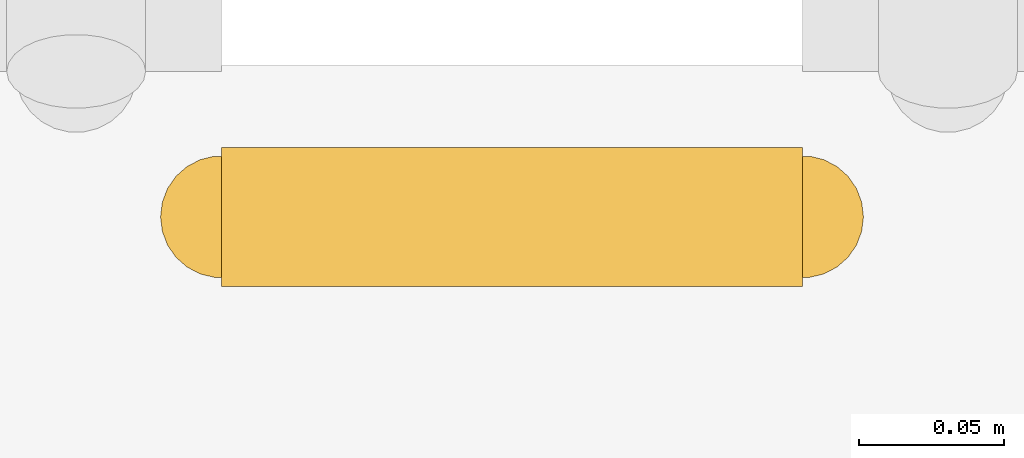
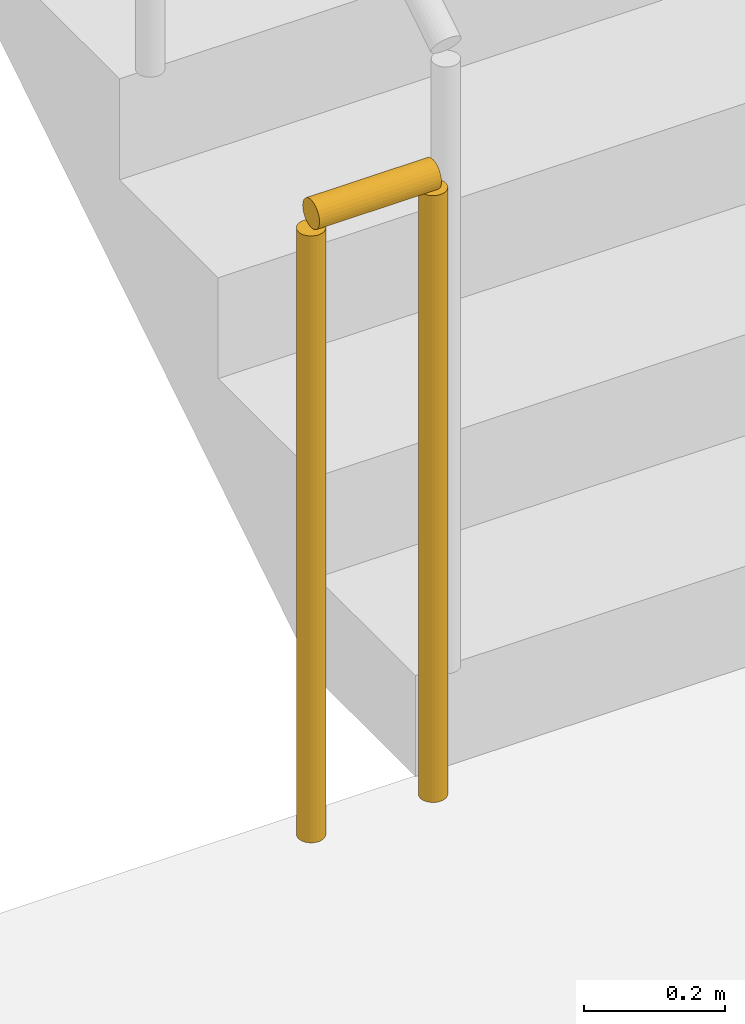
# One storey, part 11 of 22: 1 railing.
"""IFC4 building model written with IfcOpenShell, lengths in metres."""

from ifc_helpers import new_model, si_unit, direction, frame, origin, origin_2d, place, context, subcontext, project, spatial, circle, extrude, material, type_object, element, save


model = new_model("IFC4")

# Units and contexts
model_context = context("Model", 3, precision=1e-05, world=origin(), true_north=direction((0.0, 1.0)))
body_context = subcontext(model_context, "Body", "Model", "MODEL_VIEW")
ifc_project = project(units=[si_unit("LENGTHUNIT", "METRE"), si_unit("AREAUNIT", "SQUARE_METRE"), si_unit("VOLUMEUNIT", "CUBIC_METRE"), si_unit("PLANEANGLEUNIT", "RADIAN"), si_unit("MASSUNIT", "GRAM", prefix="KILO")], contexts=[model_context])

# Site, building, storey
site_placement = place(None, origin())
site = spatial("IfcSite", under=ifc_project, at=site_placement, CompositionType="ELEMENT")
building_placement = place(site_placement, origin())
building = spatial("IfcBuilding", under=site, at=building_placement, Name="Kiln Ring Residences", CompositionType="ELEMENT")
storey_placement = place(building_placement, frame((0.0, 0.0, 111.300048828125)))
storey = spatial("IfcBuildingStorey", under=building, at=storey_placement, Name="L28", CompositionType="ELEMENT", Elevation=111.300048828125)

# Railing
ifc_material = material(Name="Stainless steel", Category="steel")
railing_type = type_object("IfcRailingType", Name="CORE-STAIR-GUARD", PredefinedType="GUARDRAIL", material=ifc_material)
railing_placement = place(storey_placement, frame((-22.0, -8.449951171875, 0.0)))
element("IfcRailing", 1, at=railing_placement, inside=storey, type_object=railing_type, Name="L28 W-STS stair guard 4", PredefinedType="GUARDRAIL", context=body_context, shape_type="SweptSolid", body=[
    extrude(circle(Radius=0.02392578125, at=origin_2d()), frame((0.0, 0.0, 1.076171875), z_axis=(-1.0, 0.0, 0.0), x_axis=(0.0, -1.0, 0.0)), (0.0, 0.0, 1.0), 0.199951171875),
    extrude(circle(Radius=0.02099609375, at=origin_2d()), origin(), (0.0, 0.0, 1.0), 1.052001953125),
    extrude(circle(Radius=0.02099609375, at=origin_2d()), frame((-0.199951171875, 0.0, 0.0)), (0.0, 0.0, 1.0), 1.052001953125),
])

save(model, "model.ifc")
